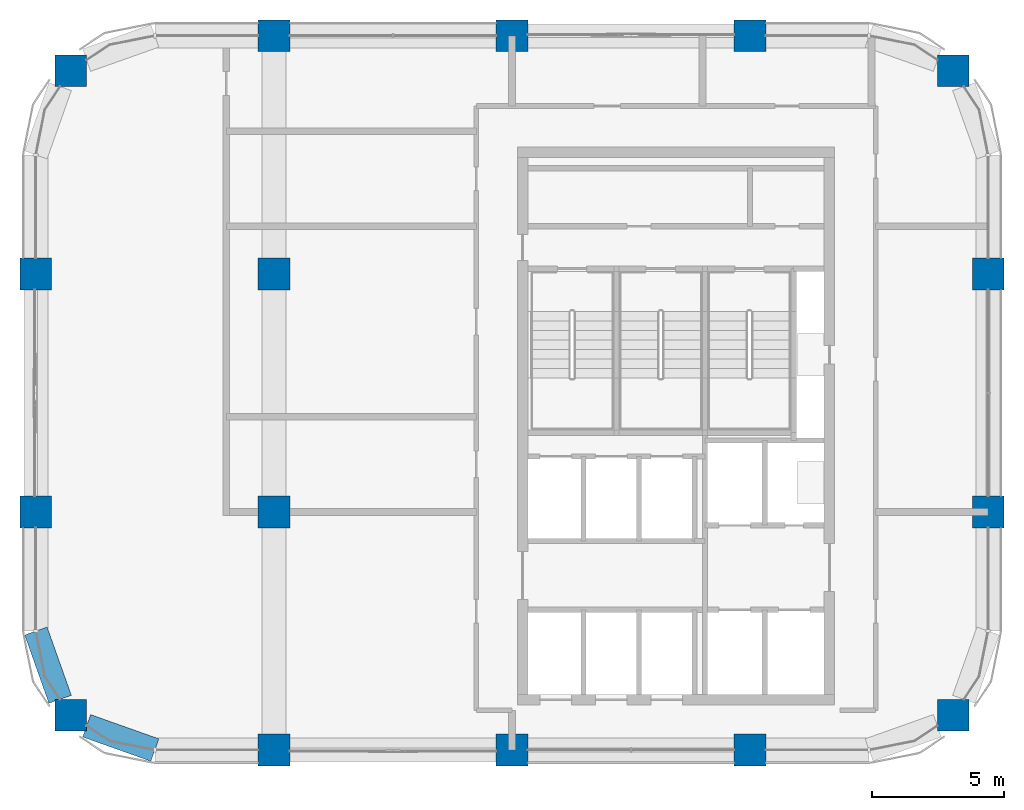
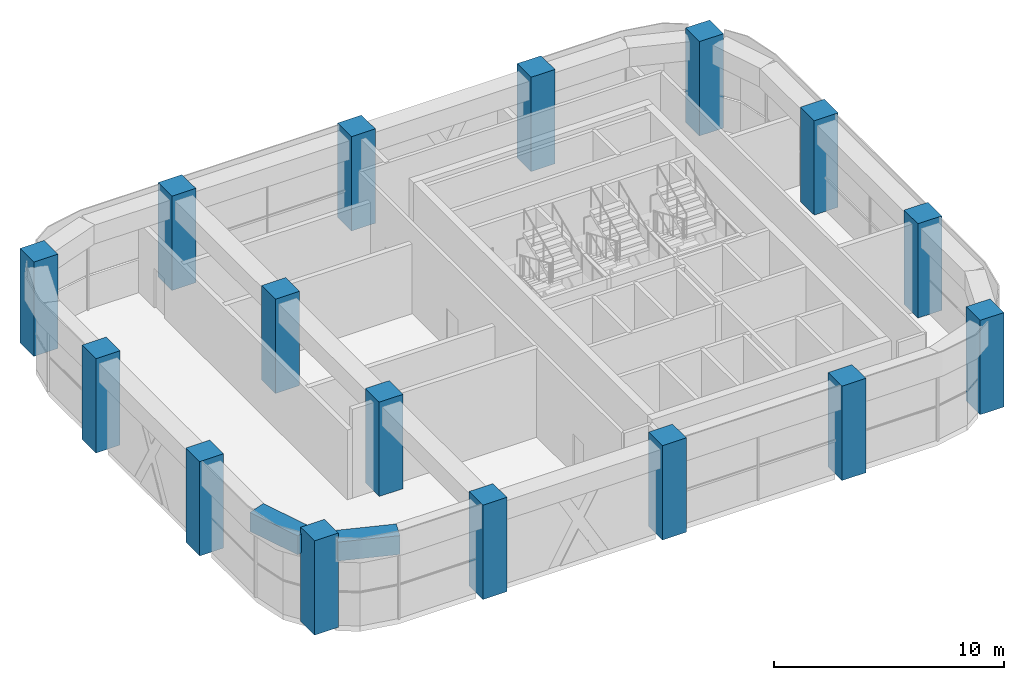
# One storey, part 1 of 15: 16 columns, 2 beams.
"""IFC4 building model written with IfcOpenShell, lengths in metres."""

from ifc_helpers import new_model, si_unit, direction, frame, origin, origin_2d, place, context, subcontext, project, spatial, rectangle, extrude, material, material_profile, profile_set, type_object, element, save


model = new_model("IFC4")

# Units and contexts
model_context = context("Model", 3, precision=1e-05, world=origin(), true_north=direction((0.0, 1.0)))
body_context = subcontext(model_context, "Body", "Model", "MODEL_VIEW")
ifc_project = project(units=[si_unit("LENGTHUNIT", "METRE"), si_unit("AREAUNIT", "SQUARE_METRE"), si_unit("VOLUMEUNIT", "CUBIC_METRE"), si_unit("PLANEANGLEUNIT", "RADIAN"), si_unit("MASSUNIT", "GRAM", prefix="KILO")], contexts=[model_context])

# Site, building, storey
site_placement = place(None, origin())
site = spatial("IfcSite", under=ifc_project, at=site_placement, CompositionType="ELEMENT")
building_placement = place(site_placement, origin())
building = spatial("IfcBuilding", under=site, at=building_placement, Name="Tessera Arch", CompositionType="ELEMENT")
storey_placement = place(building_placement, frame((0.0, 0.0, 285.199951171875)))
storey = spatial("IfcBuildingStorey", under=building, at=storey_placement, Name="L69", CompositionType="ELEMENT", Elevation=285.199951171875)

# Columns
ifc_material_1 = material(Name="Concrete C60/75", Category="concrete")
ifc_material_profile_1 = material_profile(ifc_material_1, rectangle(XDim=1.199951171875, YDim=1.199951171875, at=origin_2d()), Name="RC column 1200 x 1200 Concrete C60/75")
ifc_profile_set_1 = profile_set([ifc_material_profile_1], Name="Concrete C60/75")
column_type = type_object("IfcColumnType", Name="RC column 1200 x 1200 Concrete C60/75", PredefinedType="COLUMN", material=ifc_profile_set_1)
for number, where, z_axis, x_axis, name in (
    (1, (19.318115234375, 28.318115234375, 0.0), (0.0, 0.0, 1.0), (1.0, 0.0, 0.0), "Column C3D L69"),
    (2, (18.0, 36.0, 0.0), (0.0, 0.0, 1.0), (1.0, 0.0, 0.0), "Column C3E L69"),
    (3, (18.0, 45.0, 0.0), (0.0, 0.0, 1.0), (1.0, 0.0, 0.0), "Column C3F L69"),
    (4, (19.318115234375, 52.681884765625, 0.0), (0.0, 0.0, 1.0), (1.0, 0.0, 0.0), "Column C3G L69"),
    (5, (27.0, 27.0, 0.0), (0.0, 0.0, 1.0), (1.0, 0.0, 0.0), "Column C4D L69"),
    (6, (27.0, 36.0, 0.0), (0.0, 0.0, 1.0), (1.0, 0.0, 0.0), "Column C4E L69"),
    (7, (27.0, 45.0, 0.0), (0.0, 0.0, 1.0), (1.0, 0.0, 0.0), "Column C4F L69"),
    (8, (27.0, 54.0, 0.0), (0.0, 0.0, 1.0), (1.0, 0.0, 0.0), "Column C4G L69"),
    (9, (36.0, 27.0, 0.0), (0.0, 0.0, 1.0), (1.0, 0.0, 0.0), "Column C5D L69"),
    (10, (36.0, 54.0, 0.0), (0.0, 0.0, 1.0), (1.0, 0.0, 0.0), "Column C5G L69"),
    (11, (45.0, 27.0, 0.0), (0.0, 0.0, 1.0), (1.0, 0.0, 0.0), "Column C6D L69"),
    (12, (45.0, 54.0, 0.0), (0.0, 0.0, 1.0), (1.0, 0.0, 0.0), "Column C6G L69"),
    (13, (52.681884765625, 28.318115234375, 0.0), (0.0, 0.0, 1.0), (1.0, 0.0, 0.0), "Column C7D L69"),
    (14, (54.0, 36.0, 0.0), (0.0, 0.0, 1.0), (1.0, 0.0, 0.0), "Column C7E L69"),
    (15, (54.0, 45.0, 0.0), (0.0, 0.0, 1.0), (1.0, 0.0, 0.0), "Column C7F L69"),
    (16, (52.681884765625, 52.681884765625, 0.0), (0.0, 0.0, 1.0), (1.0, 0.0, 0.0), "Column C7G L69"),
):
    element("IfcColumn", number, at=place(storey_placement, frame(where, z_axis=z_axis, x_axis=x_axis)), inside=storey, type_object=column_type, Name=name, PredefinedType="COLUMN", context=body_context, shape_type="SweptSolid", body=[
        extrude(rectangle(XDim=1.199951171875, YDim=1.199951171875, at=origin_2d()), origin(), (0.0, 0.0, 1.0), 5.0),
    ])

# Beams
ifc_material_2 = material(Name="Concrete C60/75", Category="concrete")
ifc_material_profile_2 = material_profile(ifc_material_2, rectangle(XDim=0.89990234375, YDim=1.0, at=origin_2d()), Name="RC spandrel beam 900 x 1000 Concrete C60/75")
ifc_profile_set_2 = profile_set([ifc_material_profile_2], Name="Concrete C60/75")
beam_type = type_object("IfcBeamType", Name="RC spandrel beam 900 x 1000 Concrete C60/75", PredefinedType="BEAM", material=ifc_profile_set_2)
for number, where, z_axis, x_axis, name in (
    (17, (18.0, 31.5, 4.199951171875), (0.334665114373, -0.942337127159, 0.0), (0.942337127159, 0.334665114373, 0.0), "Spandrel beam L69 W18.27/2.2"),
    (18, (19.91796875, 27.9169921875, 4.199951171875), (0.942337127159, -0.334665114373, 0.0), (0.334665114373, 0.942337127159, 0.0), "Spandrel beam L69 S27.18/0.1"),
):
    element("IfcBeam", number, at=place(storey_placement, frame(where, z_axis=z_axis, x_axis=x_axis)), inside=storey, type_object=beam_type, Name=name, PredefinedType="BEAM", context=body_context, shape_type="SweptSolid", body=[
        extrude(rectangle(XDim=0.89990234375, YDim=1.0, at=origin_2d()), origin(), (0.0, 0.0, 1.0), 2.739990234375),
    ])

save(model, "model.ifc")
